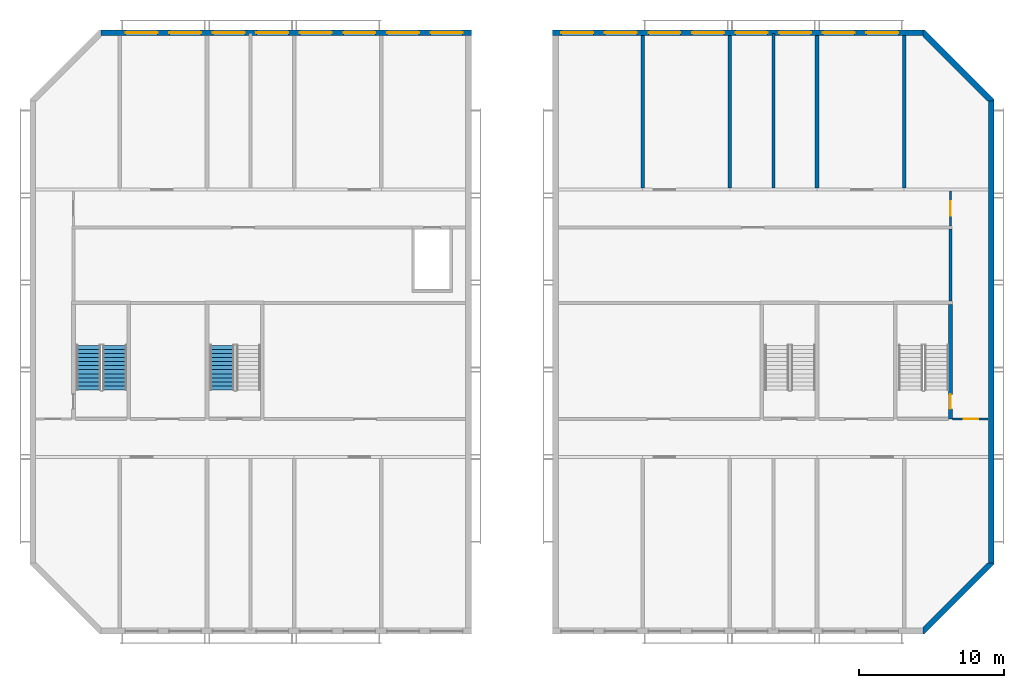
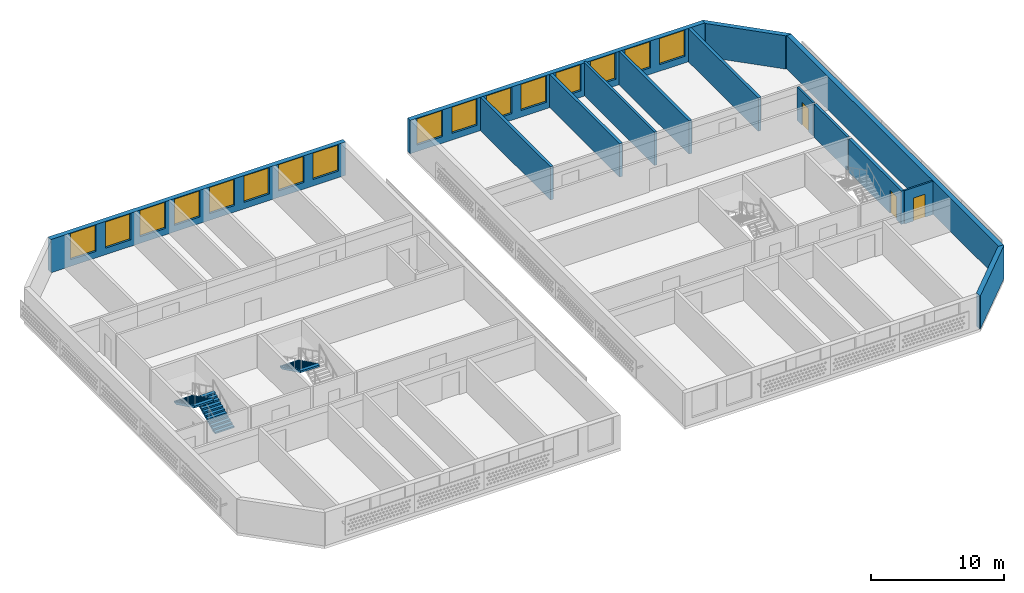
# One storey, part 4 of 18: 16 windows, 14 walls, 3 doors, 3 stair flights, 19 openings, 2 elements without a shape of their own.
"""IFC4 building model written with IfcOpenShell, lengths in metres."""

from ifc_helpers import new_model, si_unit, direction, frame, frame_2d, origin, place, context, subcontext, project, spatial, polyline, rectangle, outline, extrude, material, layer, layer_set, type_object, element, fill, aggregate, save


model = new_model("IFC4")

# Units and contexts
model_context = context("Model", 3, precision=1e-05, world=origin(), true_north=direction((0.0, 1.0)))
body_context = subcontext(model_context, "Body", "Model", "MODEL_VIEW")
ifc_project = project(units=[si_unit("LENGTHUNIT", "METRE"), si_unit("AREAUNIT", "SQUARE_METRE"), si_unit("VOLUMEUNIT", "CUBIC_METRE"), si_unit("PLANEANGLEUNIT", "RADIAN"), si_unit("MASSUNIT", "GRAM", prefix="KILO")], contexts=[model_context])

# Site, building, storey
site_placement = place(None, origin())
site = spatial("IfcSite", under=ifc_project, at=site_placement, CompositionType="ELEMENT")
building_placement = place(site_placement, origin())
building = spatial("IfcBuilding", under=site, at=building_placement, Name="Poui Terraces", CompositionType="ELEMENT")
storey_placement = place(building_placement, frame((0.0, 0.0, 279.0)))
storey = spatial("IfcBuildingStorey", under=building, at=storey_placement, Name="L77 CROWN", CompositionType="ELEMENT", Elevation=279.0)

# Wall, opening, door
ifc_material_1 = material(Name="Fire-rated plasterboard wall")
ifc_layer_1 = layer(ifc_material_1, 0.14990234375)
ifc_layer_set_1 = layer_set([ifc_layer_1], Name="Fire-rated plasterboard wall")
wall_type_1 = type_object("IfcWallType", Name="CORRIDOR WALL 150", PredefinedType="PARTITIONING", material=ifc_layer_set_1)
wall_1_placement = place(storey_placement, frame((81.3349609375, 14.60009765625, 0.0), z_axis=(0.0, 0.0, 1.0), x_axis=(1.0, 0.0, 0.0)))
wall_1 = element("IfcWall", 1, at=wall_1_placement, inside=storey, type_object=wall_type_1, Name="CORRIDOR WALL 150", PredefinedType="PARTITIONING", context=body_context, shape_type="SweptSolid", body=[
    extrude(rectangle(XDim=2.455078125, YDim=0.14990234375, at=frame_2d((1.2275390625, 0.0))), origin(), (0.0, 0.0, 1.0), 3.050048828125),
])
opening_1_placement = place(wall_1_placement, frame((0.764892578125, 0.0, 0.0)))
opening_1 = element("IfcOpeningElement", 2, at=opening_1_placement, cuts=wall_1, Name="Opening FDL", PredefinedType="OPENING", context=body_context, shape_type="SweptSolid", body=[
    extrude(rectangle(XDim=1.0, YDim=2.10009765625, at=frame_2d((0.5, 1.050048828125))), frame((0.0, 0.0849609375, 0.0), z_axis=(0.0, -1.0, 0.0), x_axis=(1.0, 0.0, 0.0)), (0.0, 0.0, 1.0), 0.169921875),
])
ifc_material_2 = material(Name="Steel fire door", Category="steel")
door_type_1 = type_object("IfcDoorType", Name="LOBBY FIRE DOOR 1000 X 2100", OperationType="NOTDEFINED", PredefinedType="DOOR", material=ifc_material_2)
door_1_placement = place(opening_1_placement, origin())
door_1 = element("IfcDoor", 3, at=door_1_placement, inside=storey, type_object=door_type_1, Name="LOBBY FIRE DOOR 010", OperationType="SINGLE_SWING_LEFT", OverallHeight=2.10009765625, OverallWidth=1.0, PredefinedType="DOOR", context=body_context, shape_type="SweptSolid", body=[
    extrude(rectangle(XDim=1.0, YDim=2.10009765625, at=frame_2d((0.5, 1.050048828125))), frame((0.0, 0.02490234375, 0.0), z_axis=(0.0, -1.0, 0.0), x_axis=(1.0, 0.0, 0.0)), (0.0, 0.0, 1.0), 0.050048828125),
])
fill(opening_1, door_1)

wall_2_placement = place(storey_placement, frame((81.199951171875, 27.89990234375, 0.0), z_axis=(0.0, 0.0, 1.0), x_axis=(0.0, 1.0, 0.0)))
wall_2 = element("IfcWall", 4, at=wall_2_placement, inside=storey, type_object=wall_type_1, Name="CORRIDOR WALL 150", PredefinedType="PARTITIONING", context=body_context, shape_type="SweptSolid", body=[
    extrude(rectangle(XDim=2.39013671875, YDim=0.14990234375, at=frame_2d((1.195068359375, 0.0))), origin(), (0.0, 0.0, 1.0), 3.050048828125),
])
opening_2_placement = place(wall_2_placement, frame((0.699951171875, 0.0, 0.0)))
opening_2 = element("IfcOpeningElement", 5, at=opening_2_placement, cuts=wall_2, Name="Opening FDL", PredefinedType="OPENING", context=body_context, shape_type="SweptSolid", body=[
    extrude(rectangle(XDim=1.0, YDim=2.10009765625, at=frame_2d((0.5, 1.050048828125))), frame((0.0, 0.0849609375, 0.0), z_axis=(0.0, -1.0, 0.0), x_axis=(1.0, 0.0, 0.0)), (0.0, 0.0, 1.0), 0.169921875),
])
door_2_placement = place(opening_2_placement, frame((1.0, 0.0, 0.0), z_axis=(0.0, 0.0, 1.0), x_axis=(-1.0, 0.0, 0.0)))
door_2 = element("IfcDoor", 6, at=door_2_placement, inside=storey, type_object=door_type_1, Name="LOBBY FIRE DOOR 009", OperationType="SINGLE_SWING_RIGHT", OverallHeight=2.10009765625, OverallWidth=1.0, PredefinedType="DOOR", context=body_context, shape_type="SweptSolid", body=[
    extrude(rectangle(XDim=1.0, YDim=2.10009765625, at=frame_2d((0.5, 1.050048828125))), frame((0.0, 0.02490234375, 0.0), z_axis=(0.0, -1.0, 0.0), x_axis=(1.0, 0.0, 0.0)), (0.0, 0.0, 1.0), 0.050048828125),
])
fill(opening_2, door_2)

# Walls
ifc_material_3 = material(Name="Concrete 50 MPa", Category="concrete")
ifc_layer_2 = layer(ifc_material_3, 0.25)
ifc_layer_set_2 = layer_set([ifc_layer_2], Name="Concrete 50 MPa")
wall_type_2 = type_object("IfcWallType", Name="CROSS WALL 250 50MPa", PredefinedType="SHEAR", material=ifc_layer_set_2)
for number, where, z_axis, x_axis, name in (
    (7, (60.0, 30.5, 0.0), (0.0, 0.0, 1.0), (0.0, 1.0, 0.0), "CROSS WALL LINE 11 NORTH"),
    (8, (66.0, 30.5, 0.0), (0.0, 0.0, 1.0), (0.0, 1.0, 0.0), "CROSS WALL LINE 12 NORTH"),
    (9, (72.0, 30.5, 0.0), (0.0, 0.0, 1.0), (0.0, 1.0, 0.0), "CROSS WALL LINE 13 NORTH"),
    (10, (78.0, 30.5, 0.0), (0.0, 0.0, 1.0), (0.0, 1.0, 0.0), "CROSS WALL LINE 14 NORTH"),
):
    element("IfcWall", number, at=place(storey_placement, frame(where, z_axis=z_axis, x_axis=x_axis)), inside=storey, type_object=wall_type_2, Name=name, PredefinedType="SHEAR", context=body_context, shape_type="SweptSolid", body=[
        extrude(rectangle(XDim=10.5, YDim=0.25, at=frame_2d((5.25, 0.0))), origin(), (0.0, 0.0, 1.0), 3.050048828125),
    ])
ifc_layer_3 = layer(ifc_material_3, 0.39990234375)
ifc_layer_set_3 = layer_set([ifc_layer_3], Name="Concrete 50 MPa")
wall_type_3 = type_object("IfcWallType", Name="END WALL 400 50MPa", PredefinedType="SHEAR", material=ifc_layer_set_3)
wall_3_placement = place(storey_placement, frame((84.0, 4.682861328125, 0.0), z_axis=(0.0, 0.0, 1.0), x_axis=(0.0, 1.0, 0.0)))
element("IfcWall", 11, at=wall_3_placement, inside=storey, type_object=wall_type_3, Name="END WALL LINE 15", PredefinedType="SHEAR", context=body_context, shape_type="SweptSolid", body=[
    extrude(rectangle(XDim=31.834228515625, YDim=0.39990234375, at=frame_2d((15.9169921875, 0.0))), origin(), (0.0, 0.0, 1.0), 3.050048828125),
])

# Wall, openings, windows
ifc_material_4 = material(Name="Precast concrete 40 MPa", Category="concrete")
ifc_layer_4 = layer(ifc_material_4, 0.39990234375)
ifc_layer_set_4 = layer_set([ifc_layer_4], Name="Precast concrete 40 MPa")
wall_type_4 = type_object("IfcWallType", Name="EXTERNAL WALL 400", PredefinedType="STANDARD", material=ifc_layer_set_4)
wall_4_placement = place(storey_placement, frame((48.199951171875, 41.199951171875, 0.0), z_axis=(0.0, 0.0, 1.0), x_axis=(-1.0, 0.0, 0.0)))
wall_4 = element("IfcWall", 12, at=wall_4_placement, inside=storey, type_object=wall_type_4, Name="EXTERNAL WALL N", PredefinedType="STANDARD", context=body_context, shape_type="SweptSolid", body=[
    extrude(rectangle(XDim=25.51708984375, YDim=0.39990234375, at=frame_2d((12.758544921875, 0.0))), origin(), (0.0, 0.0, 1.0), 3.050048828125),
])
opening_3_placement = place(wall_4_placement, frame((21.60009765625, 0.0, 0.60009765625)))
opening_3 = element("IfcOpeningElement", 13, at=opening_3_placement, cuts=wall_4, Name="Opening W5", PredefinedType="OPENING", context=body_context, shape_type="SweptSolid", body=[
    extrude(rectangle(XDim=2.199951171875, YDim=2.39990234375, at=frame_2d((1.10009765625, 1.199951171875))), frame((0.0, 0.2099609375, 0.0), z_axis=(0.0, -1.0, 0.0), x_axis=(1.0, 0.0, 0.0)), (0.0, 0.0, 1.0), 0.419921875),
])
opening_4_placement = place(wall_4_placement, frame((18.60009765625, 0.0, 0.60009765625)))
opening_4 = element("IfcOpeningElement", 14, at=opening_4_placement, cuts=wall_4, Name="Opening W5", PredefinedType="OPENING", context=body_context, shape_type="SweptSolid", body=[
    extrude(rectangle(XDim=2.199951171875, YDim=2.39990234375, at=frame_2d((1.10009765625, 1.199951171875))), frame((0.0, 0.2099609375, 0.0), z_axis=(0.0, -1.0, 0.0), x_axis=(1.0, 0.0, 0.0)), (0.0, 0.0, 1.0), 0.419921875),
])
opening_5_placement = place(wall_4_placement, frame((15.60009765625, 0.0, 0.60009765625)))
opening_5 = element("IfcOpeningElement", 15, at=opening_5_placement, cuts=wall_4, Name="Opening W5", PredefinedType="OPENING", context=body_context, shape_type="SweptSolid", body=[
    extrude(rectangle(XDim=2.199951171875, YDim=2.39990234375, at=frame_2d((1.10009765625, 1.199951171875))), frame((0.0, 0.2099609375, 0.0), z_axis=(0.0, -1.0, 0.0), x_axis=(1.0, 0.0, 0.0)), (0.0, 0.0, 1.0), 0.419921875),
])
opening_6_placement = place(wall_4_placement, frame((12.60009765625, 0.0, 0.60009765625)))
opening_6 = element("IfcOpeningElement", 16, at=opening_6_placement, cuts=wall_4, Name="Opening W5", PredefinedType="OPENING", context=body_context, shape_type="SweptSolid", body=[
    extrude(rectangle(XDim=2.199951171875, YDim=2.39990234375, at=frame_2d((1.10009765625, 1.199951171875))), frame((0.0, 0.2099609375, 0.0), z_axis=(0.0, -1.0, 0.0), x_axis=(1.0, 0.0, 0.0)), (0.0, 0.0, 1.0), 0.419921875),
])
opening_7_placement = place(wall_4_placement, frame((9.60009765625, 0.0, 0.60009765625)))
opening_7 = element("IfcOpeningElement", 17, at=opening_7_placement, cuts=wall_4, Name="Opening W5", PredefinedType="OPENING", context=body_context, shape_type="SweptSolid", body=[
    extrude(rectangle(XDim=2.199951171875, YDim=2.39990234375, at=frame_2d((1.10009765625, 1.199951171875))), frame((0.0, 0.2099609375, 0.0), z_axis=(0.0, -1.0, 0.0), x_axis=(1.0, 0.0, 0.0)), (0.0, 0.0, 1.0), 0.419921875),
])
opening_8_placement = place(wall_4_placement, frame((6.60009765625, 0.0, 0.60009765625)))
opening_8 = element("IfcOpeningElement", 18, at=opening_8_placement, cuts=wall_4, Name="Opening W5", PredefinedType="OPENING", context=body_context, shape_type="SweptSolid", body=[
    extrude(rectangle(XDim=2.199951171875, YDim=2.39990234375, at=frame_2d((1.10009765625, 1.199951171875))), frame((0.0, 0.2099609375, 0.0), z_axis=(0.0, -1.0, 0.0), x_axis=(1.0, 0.0, 0.0)), (0.0, 0.0, 1.0), 0.419921875),
])
opening_9_placement = place(wall_4_placement, frame((3.60009765625, 0.0, 0.60009765625)))
opening_9 = element("IfcOpeningElement", 19, at=opening_9_placement, cuts=wall_4, Name="Opening W5", PredefinedType="OPENING", context=body_context, shape_type="SweptSolid", body=[
    extrude(rectangle(XDim=2.199951171875, YDim=2.39990234375, at=frame_2d((1.10009765625, 1.199951171875))), frame((0.0, 0.2099609375, 0.0), z_axis=(0.0, -1.0, 0.0), x_axis=(1.0, 0.0, 0.0)), (0.0, 0.0, 1.0), 0.419921875),
])
opening_10_placement = place(wall_4_placement, frame((0.60009765625, 0.0, 0.60009765625)))
opening_10 = element("IfcOpeningElement", 20, at=opening_10_placement, cuts=wall_4, Name="Opening W5", PredefinedType="OPENING", context=body_context, shape_type="SweptSolid", body=[
    extrude(rectangle(XDim=2.199951171875, YDim=2.39990234375, at=frame_2d((1.10009765625, 1.199951171875))), frame((0.0, 0.2099609375, 0.0), z_axis=(0.0, -1.0, 0.0), x_axis=(1.0, 0.0, 0.0)), (0.0, 0.0, 1.0), 0.419921875),
])
ifc_material_5 = material(Name="Clear glass in aluminium frame", Category="aluminium")
window_type = type_object("IfcWindowType", Name="WINDOW 2200X2400", PartitioningType="TRIPLE_PANEL_HORIZONTAL", PredefinedType="WINDOW", material=ifc_material_5)
window_1_placement = place(opening_3_placement, origin())
window_1 = element("IfcWindow", 21, at=window_1_placement, inside=storey, type_object=window_type, Name="W5 WINDOW", OverallHeight=2.39990234375, OverallWidth=2.199951171875, PartitioningType="TRIPLE_PANEL_HORIZONTAL", PredefinedType="WINDOW", context=body_context, shape_type="SweptSolid", body=[
    extrude(rectangle(XDim=2.199951171875, YDim=2.39990234375, at=frame_2d((1.10009765625, 1.199951171875))), frame((0.0, 0.030029296875, 0.0), z_axis=(0.0, -1.0, 0.0), x_axis=(1.0, 0.0, 0.0)), (0.0, 0.0, 1.0), 0.06005859375),
])
fill(opening_3, window_1)
window_2_placement = place(opening_4_placement, origin())
window_2 = element("IfcWindow", 22, at=window_2_placement, inside=storey, type_object=window_type, Name="W5 WINDOW", OverallHeight=2.39990234375, OverallWidth=2.199951171875, PartitioningType="TRIPLE_PANEL_HORIZONTAL", PredefinedType="WINDOW", context=body_context, shape_type="SweptSolid", body=[
    extrude(rectangle(XDim=2.199951171875, YDim=2.39990234375, at=frame_2d((1.10009765625, 1.199951171875))), frame((0.0, 0.030029296875, 0.0), z_axis=(0.0, -1.0, 0.0), x_axis=(1.0, 0.0, 0.0)), (0.0, 0.0, 1.0), 0.06005859375),
])
fill(opening_4, window_2)
window_3_placement = place(opening_5_placement, origin())
window_3 = element("IfcWindow", 23, at=window_3_placement, inside=storey, type_object=window_type, Name="W5 WINDOW", OverallHeight=2.39990234375, OverallWidth=2.199951171875, PartitioningType="TRIPLE_PANEL_HORIZONTAL", PredefinedType="WINDOW", context=body_context, shape_type="SweptSolid", body=[
    extrude(rectangle(XDim=2.199951171875, YDim=2.39990234375, at=frame_2d((1.10009765625, 1.199951171875))), frame((0.0, 0.030029296875, 0.0), z_axis=(0.0, -1.0, 0.0), x_axis=(1.0, 0.0, 0.0)), (0.0, 0.0, 1.0), 0.06005859375),
])
fill(opening_5, window_3)
window_4_placement = place(opening_6_placement, origin())
window_4 = element("IfcWindow", 24, at=window_4_placement, inside=storey, type_object=window_type, Name="W5 WINDOW", OverallHeight=2.39990234375, OverallWidth=2.199951171875, PartitioningType="TRIPLE_PANEL_HORIZONTAL", PredefinedType="WINDOW", context=body_context, shape_type="SweptSolid", body=[
    extrude(rectangle(XDim=2.199951171875, YDim=2.39990234375, at=frame_2d((1.10009765625, 1.199951171875))), frame((0.0, 0.030029296875, 0.0), z_axis=(0.0, -1.0, 0.0), x_axis=(1.0, 0.0, 0.0)), (0.0, 0.0, 1.0), 0.06005859375),
])
fill(opening_6, window_4)
window_5_placement = place(opening_7_placement, origin())
window_5 = element("IfcWindow", 25, at=window_5_placement, inside=storey, type_object=window_type, Name="W5 WINDOW", OverallHeight=2.39990234375, OverallWidth=2.199951171875, PartitioningType="TRIPLE_PANEL_HORIZONTAL", PredefinedType="WINDOW", context=body_context, shape_type="SweptSolid", body=[
    extrude(rectangle(XDim=2.199951171875, YDim=2.39990234375, at=frame_2d((1.10009765625, 1.199951171875))), frame((0.0, 0.030029296875, 0.0), z_axis=(0.0, -1.0, 0.0), x_axis=(1.0, 0.0, 0.0)), (0.0, 0.0, 1.0), 0.06005859375),
])
fill(opening_7, window_5)
window_6_placement = place(opening_8_placement, origin())
window_6 = element("IfcWindow", 26, at=window_6_placement, inside=storey, type_object=window_type, Name="W5 WINDOW", OverallHeight=2.39990234375, OverallWidth=2.199951171875, PartitioningType="TRIPLE_PANEL_HORIZONTAL", PredefinedType="WINDOW", context=body_context, shape_type="SweptSolid", body=[
    extrude(rectangle(XDim=2.199951171875, YDim=2.39990234375, at=frame_2d((1.10009765625, 1.199951171875))), frame((0.0, 0.030029296875, 0.0), z_axis=(0.0, -1.0, 0.0), x_axis=(1.0, 0.0, 0.0)), (0.0, 0.0, 1.0), 0.06005859375),
])
fill(opening_8, window_6)
window_7_placement = place(opening_9_placement, origin())
window_7 = element("IfcWindow", 27, at=window_7_placement, inside=storey, type_object=window_type, Name="W5 WINDOW", OverallHeight=2.39990234375, OverallWidth=2.199951171875, PartitioningType="TRIPLE_PANEL_HORIZONTAL", PredefinedType="WINDOW", context=body_context, shape_type="SweptSolid", body=[
    extrude(rectangle(XDim=2.199951171875, YDim=2.39990234375, at=frame_2d((1.10009765625, 1.199951171875))), frame((0.0, 0.030029296875, 0.0), z_axis=(0.0, -1.0, 0.0), x_axis=(1.0, 0.0, 0.0)), (0.0, 0.0, 1.0), 0.06005859375),
])
fill(opening_9, window_7)
window_8_placement = place(opening_10_placement, origin())
window_8 = element("IfcWindow", 28, at=window_8_placement, inside=storey, type_object=window_type, Name="W5 WINDOW", OverallHeight=2.39990234375, OverallWidth=2.199951171875, PartitioningType="TRIPLE_PANEL_HORIZONTAL", PredefinedType="WINDOW", context=body_context, shape_type="SweptSolid", body=[
    extrude(rectangle(XDim=2.199951171875, YDim=2.39990234375, at=frame_2d((1.10009765625, 1.199951171875))), frame((0.0, 0.030029296875, 0.0), z_axis=(0.0, -1.0, 0.0), x_axis=(1.0, 0.0, 0.0)), (0.0, 0.0, 1.0), 0.06005859375),
])
fill(opening_10, window_8)

wall_5_placement = place(storey_placement, frame((79.317138671875, 41.199951171875, 0.0), z_axis=(0.0, 0.0, 1.0), x_axis=(-1.0, 0.0, 0.0)))
wall_5 = element("IfcWall", 29, at=wall_5_placement, inside=storey, type_object=wall_type_4, Name="EXTERNAL WALL N", PredefinedType="STANDARD", context=body_context, shape_type="SweptSolid", body=[
    extrude(rectangle(XDim=25.51708984375, YDim=0.39990234375, at=frame_2d((12.758544921875, 0.0))), origin(), (0.0, 0.0, 1.0), 3.050048828125),
])
opening_11_placement = place(wall_5_placement, frame((22.71728515625, 0.0, 0.60009765625)))
opening_11 = element("IfcOpeningElement", 30, at=opening_11_placement, cuts=wall_5, Name="Opening W5", PredefinedType="OPENING", context=body_context, shape_type="SweptSolid", body=[
    extrude(rectangle(XDim=2.199951171875, YDim=2.39990234375, at=frame_2d((1.10009765625, 1.199951171875))), frame((0.0, 0.2099609375, 0.0), z_axis=(0.0, -1.0, 0.0), x_axis=(1.0, 0.0, 0.0)), (0.0, 0.0, 1.0), 0.419921875),
])
opening_12_placement = place(wall_5_placement, frame((19.71728515625, 0.0, 0.60009765625)))
opening_12 = element("IfcOpeningElement", 31, at=opening_12_placement, cuts=wall_5, Name="Opening W5", PredefinedType="OPENING", context=body_context, shape_type="SweptSolid", body=[
    extrude(rectangle(XDim=2.199951171875, YDim=2.39990234375, at=frame_2d((1.10009765625, 1.199951171875))), frame((0.0, 0.2099609375, 0.0), z_axis=(0.0, -1.0, 0.0), x_axis=(1.0, 0.0, 0.0)), (0.0, 0.0, 1.0), 0.419921875),
])
opening_13_placement = place(wall_5_placement, frame((16.71728515625, 0.0, 0.60009765625)))
opening_13 = element("IfcOpeningElement", 32, at=opening_13_placement, cuts=wall_5, Name="Opening W5", PredefinedType="OPENING", context=body_context, shape_type="SweptSolid", body=[
    extrude(rectangle(XDim=2.199951171875, YDim=2.39990234375, at=frame_2d((1.10009765625, 1.199951171875))), frame((0.0, 0.2099609375, 0.0), z_axis=(0.0, -1.0, 0.0), x_axis=(1.0, 0.0, 0.0)), (0.0, 0.0, 1.0), 0.419921875),
])
opening_14_placement = place(wall_5_placement, frame((13.71728515625, 0.0, 0.60009765625)))
opening_14 = element("IfcOpeningElement", 33, at=opening_14_placement, cuts=wall_5, Name="Opening W5", PredefinedType="OPENING", context=body_context, shape_type="SweptSolid", body=[
    extrude(rectangle(XDim=2.199951171875, YDim=2.39990234375, at=frame_2d((1.10009765625, 1.199951171875))), frame((0.0, 0.2099609375, 0.0), z_axis=(0.0, -1.0, 0.0), x_axis=(1.0, 0.0, 0.0)), (0.0, 0.0, 1.0), 0.419921875),
])
opening_15_placement = place(wall_5_placement, frame((10.71728515625, 0.0, 0.60009765625)))
opening_15 = element("IfcOpeningElement", 34, at=opening_15_placement, cuts=wall_5, Name="Opening W5", PredefinedType="OPENING", context=body_context, shape_type="SweptSolid", body=[
    extrude(rectangle(XDim=2.199951171875, YDim=2.39990234375, at=frame_2d((1.10009765625, 1.199951171875))), frame((0.0, 0.2099609375, 0.0), z_axis=(0.0, -1.0, 0.0), x_axis=(1.0, 0.0, 0.0)), (0.0, 0.0, 1.0), 0.419921875),
])
opening_16_placement = place(wall_5_placement, frame((7.71728515625, 0.0, 0.60009765625)))
opening_16 = element("IfcOpeningElement", 35, at=opening_16_placement, cuts=wall_5, Name="Opening W5", PredefinedType="OPENING", context=body_context, shape_type="SweptSolid", body=[
    extrude(rectangle(XDim=2.199951171875, YDim=2.39990234375, at=frame_2d((1.10009765625, 1.199951171875))), frame((0.0, 0.2099609375, 0.0), z_axis=(0.0, -1.0, 0.0), x_axis=(1.0, 0.0, 0.0)), (0.0, 0.0, 1.0), 0.419921875),
])
opening_17_placement = place(wall_5_placement, frame((4.71728515625, 0.0, 0.60009765625)))
opening_17 = element("IfcOpeningElement", 36, at=opening_17_placement, cuts=wall_5, Name="Opening W5", PredefinedType="OPENING", context=body_context, shape_type="SweptSolid", body=[
    extrude(rectangle(XDim=2.199951171875, YDim=2.39990234375, at=frame_2d((1.10009765625, 1.199951171875))), frame((0.0, 0.2099609375, 0.0), z_axis=(0.0, -1.0, 0.0), x_axis=(1.0, 0.0, 0.0)), (0.0, 0.0, 1.0), 0.419921875),
])
opening_18_placement = place(wall_5_placement, frame((1.71728515625, 0.0, 0.60009765625)))
opening_18 = element("IfcOpeningElement", 37, at=opening_18_placement, cuts=wall_5, Name="Opening W5", PredefinedType="OPENING", context=body_context, shape_type="SweptSolid", body=[
    extrude(rectangle(XDim=2.199951171875, YDim=2.39990234375, at=frame_2d((1.10009765625, 1.199951171875))), frame((0.0, 0.2099609375, 0.0), z_axis=(0.0, -1.0, 0.0), x_axis=(1.0, 0.0, 0.0)), (0.0, 0.0, 1.0), 0.419921875),
])
window_9_placement = place(opening_11_placement, origin())
window_9 = element("IfcWindow", 38, at=window_9_placement, inside=storey, type_object=window_type, Name="W5 WINDOW", OverallHeight=2.39990234375, OverallWidth=2.199951171875, PartitioningType="TRIPLE_PANEL_HORIZONTAL", PredefinedType="WINDOW", context=body_context, shape_type="SweptSolid", body=[
    extrude(rectangle(XDim=2.199951171875, YDim=2.39990234375, at=frame_2d((1.10009765625, 1.199951171875))), frame((0.0, 0.030029296875, 0.0), z_axis=(0.0, -1.0, 0.0), x_axis=(1.0, 0.0, 0.0)), (0.0, 0.0, 1.0), 0.06005859375),
])
fill(opening_11, window_9)
window_10_placement = place(opening_12_placement, origin())
window_10 = element("IfcWindow", 39, at=window_10_placement, inside=storey, type_object=window_type, Name="W5 WINDOW", OverallHeight=2.39990234375, OverallWidth=2.199951171875, PartitioningType="TRIPLE_PANEL_HORIZONTAL", PredefinedType="WINDOW", context=body_context, shape_type="SweptSolid", body=[
    extrude(rectangle(XDim=2.199951171875, YDim=2.39990234375, at=frame_2d((1.10009765625, 1.199951171875))), frame((0.0, 0.030029296875, 0.0), z_axis=(0.0, -1.0, 0.0), x_axis=(1.0, 0.0, 0.0)), (0.0, 0.0, 1.0), 0.06005859375),
])
fill(opening_12, window_10)
window_11_placement = place(opening_13_placement, origin())
window_11 = element("IfcWindow", 40, at=window_11_placement, inside=storey, type_object=window_type, Name="W5 WINDOW", OverallHeight=2.39990234375, OverallWidth=2.199951171875, PartitioningType="TRIPLE_PANEL_HORIZONTAL", PredefinedType="WINDOW", context=body_context, shape_type="SweptSolid", body=[
    extrude(rectangle(XDim=2.199951171875, YDim=2.39990234375, at=frame_2d((1.10009765625, 1.199951171875))), frame((0.0, 0.030029296875, 0.0), z_axis=(0.0, -1.0, 0.0), x_axis=(1.0, 0.0, 0.0)), (0.0, 0.0, 1.0), 0.06005859375),
])
fill(opening_13, window_11)
window_12_placement = place(opening_14_placement, origin())
window_12 = element("IfcWindow", 41, at=window_12_placement, inside=storey, type_object=window_type, Name="W5 WINDOW", OverallHeight=2.39990234375, OverallWidth=2.199951171875, PartitioningType="TRIPLE_PANEL_HORIZONTAL", PredefinedType="WINDOW", context=body_context, shape_type="SweptSolid", body=[
    extrude(rectangle(XDim=2.199951171875, YDim=2.39990234375, at=frame_2d((1.10009765625, 1.199951171875))), frame((0.0, 0.030029296875, 0.0), z_axis=(0.0, -1.0, 0.0), x_axis=(1.0, 0.0, 0.0)), (0.0, 0.0, 1.0), 0.06005859375),
])
fill(opening_14, window_12)
window_13_placement = place(opening_15_placement, origin())
window_13 = element("IfcWindow", 42, at=window_13_placement, inside=storey, type_object=window_type, Name="W5 WINDOW", OverallHeight=2.39990234375, OverallWidth=2.199951171875, PartitioningType="TRIPLE_PANEL_HORIZONTAL", PredefinedType="WINDOW", context=body_context, shape_type="SweptSolid", body=[
    extrude(rectangle(XDim=2.199951171875, YDim=2.39990234375, at=frame_2d((1.10009765625, 1.199951171875))), frame((0.0, 0.030029296875, 0.0), z_axis=(0.0, -1.0, 0.0), x_axis=(1.0, 0.0, 0.0)), (0.0, 0.0, 1.0), 0.06005859375),
])
fill(opening_15, window_13)
window_14_placement = place(opening_16_placement, origin())
window_14 = element("IfcWindow", 43, at=window_14_placement, inside=storey, type_object=window_type, Name="W5 WINDOW", OverallHeight=2.39990234375, OverallWidth=2.199951171875, PartitioningType="TRIPLE_PANEL_HORIZONTAL", PredefinedType="WINDOW", context=body_context, shape_type="SweptSolid", body=[
    extrude(rectangle(XDim=2.199951171875, YDim=2.39990234375, at=frame_2d((1.10009765625, 1.199951171875))), frame((0.0, 0.030029296875, 0.0), z_axis=(0.0, -1.0, 0.0), x_axis=(1.0, 0.0, 0.0)), (0.0, 0.0, 1.0), 0.06005859375),
])
fill(opening_16, window_14)
window_15_placement = place(opening_17_placement, origin())
window_15 = element("IfcWindow", 44, at=window_15_placement, inside=storey, type_object=window_type, Name="W5 WINDOW", OverallHeight=2.39990234375, OverallWidth=2.199951171875, PartitioningType="TRIPLE_PANEL_HORIZONTAL", PredefinedType="WINDOW", context=body_context, shape_type="SweptSolid", body=[
    extrude(rectangle(XDim=2.199951171875, YDim=2.39990234375, at=frame_2d((1.10009765625, 1.199951171875))), frame((0.0, 0.030029296875, 0.0), z_axis=(0.0, -1.0, 0.0), x_axis=(1.0, 0.0, 0.0)), (0.0, 0.0, 1.0), 0.06005859375),
])
fill(opening_17, window_15)
window_16_placement = place(opening_18_placement, origin())
window_16 = element("IfcWindow", 45, at=window_16_placement, inside=storey, type_object=window_type, Name="W5 WINDOW", OverallHeight=2.39990234375, OverallWidth=2.199951171875, PartitioningType="TRIPLE_PANEL_HORIZONTAL", PredefinedType="WINDOW", context=body_context, shape_type="SweptSolid", body=[
    extrude(rectangle(XDim=2.199951171875, YDim=2.39990234375, at=frame_2d((1.10009765625, 1.199951171875))), frame((0.0, 0.030029296875, 0.0), z_axis=(0.0, -1.0, 0.0), x_axis=(1.0, 0.0, 0.0)), (0.0, 0.0, 1.0), 0.06005859375),
])
fill(opening_18, window_16)

# Walls
ifc_material_6 = material(Name="Fire-rated masonry wall", Category="masonry")
ifc_layer_5 = layer(ifc_material_6, 0.199951171875)
ifc_layer_set_5 = layer_set([ifc_layer_5], Name="Fire-rated masonry wall")
wall_type_5 = type_object("IfcWallType", Name="PLANT ROOM WALL 200", PredefinedType="PARTITIONING", material=ifc_layer_set_5)
wall_6_placement = place(storey_placement, frame((69.0, 30.510009765625, 0.0), z_axis=(0.0, 0.0, 1.0), x_axis=(0.0, 1.0, 0.0)))
element("IfcWall", 46, at=wall_6_placement, inside=storey, type_object=wall_type_5, Name="PLANT ROOM WALL 200", PredefinedType="PARTITIONING", context=body_context, shape_type="SweptSolid", body=[
    extrude(rectangle(XDim=10.6298828125, YDim=0.199951171875, at=frame_2d((5.31494140625, 0.0))), origin(), (0.0, 0.0, 1.0), 3.050048828125),
])
wall_7_placement = place(storey_placement, frame((81.199951171875, 22.735107421875, 0.0), z_axis=(0.0, 0.0, 1.0), x_axis=(0.0, 1.0, 0.0)))
element("IfcWall", 47, at=wall_7_placement, inside=storey, type_object=wall_type_5, Name="PLANT ROOM WALL 200", PredefinedType="PARTITIONING", context=body_context, shape_type="SweptSolid", body=[
    extrude(rectangle(XDim=4.96484375, YDim=0.199951171875, at=frame_2d((2.482421875, 0.0))), origin(), (0.0, 0.0, 1.0), 3.050048828125),
])

# Wall, opening, door
ifc_layer_6 = layer(ifc_material_3, 0.25)
ifc_layer_set_6 = layer_set([ifc_layer_6], Name="Concrete 50 MPa")
wall_type_6 = type_object("IfcWallType", Name="STAIR CORE WALL 250 50 MPA", PredefinedType="SOLIDWALL", material=ifc_layer_set_6)
wall_8_placement = place(storey_placement, frame((81.199951171875, 14.60009765625, 0.0), z_axis=(0.0, 0.0, 1.0), x_axis=(0.0, 1.0, 0.0)))
wall_8 = element("IfcWall", 48, at=wall_8_placement, inside=storey, type_object=wall_type_6, Name="STAIR CORE WALL", PredefinedType="SOLIDWALL", context=body_context, shape_type="SweptSolid", body=[
    extrude(rectangle(XDim=7.875, YDim=0.25, at=frame_2d((3.9375, 0.0))), origin(), (0.0, 0.0, 1.0), 3.050048828125),
])
opening_19_placement = place(wall_8_placement, frame((0.699951171875, 0.0, 0.0)))
opening_19 = element("IfcOpeningElement", 49, at=opening_19_placement, cuts=wall_8, Name="Opening FD60S", PredefinedType="OPENING", context=body_context, shape_type="SweptSolid", body=[
    extrude(rectangle(XDim=1.0, YDim=2.10009765625, at=frame_2d((0.5, 1.050048828125))), frame((0.0, 0.135009765625, 0.0), z_axis=(0.0, -1.0, 0.0), x_axis=(1.0, 0.0, 0.0)), (0.0, 0.0, 1.0), 0.27001953125),
])
door_type_2 = type_object("IfcDoorType", Name="STAIR DOOR 1000 X 2100", OperationType="NOTDEFINED", PredefinedType="DOOR", material=ifc_material_2)
door_3_placement = place(opening_19_placement, origin())
door_3 = element("IfcDoor", 50, at=door_3_placement, inside=storey, type_object=door_type_2, Name="STAIR DOOR 008", OperationType="SINGLE_SWING_LEFT", OverallHeight=2.10009765625, OverallWidth=1.0, PredefinedType="DOOR", context=body_context, shape_type="SweptSolid", body=[
    extrude(rectangle(XDim=1.0, YDim=2.10009765625, at=frame_2d((0.5, 1.050048828125))), frame((0.0, 0.02490234375, 0.0), z_axis=(0.0, -1.0, 0.0), x_axis=(1.0, 0.0, 0.0)), (0.0, 0.0, 1.0), 0.050048828125),
])
fill(opening_19, door_3)

# Walls
ifc_layer_7 = layer(ifc_material_4, 0.39990234375)
ifc_layer_set_7 = layer_set([ifc_layer_7], Name="Precast concrete 40 MPa")
wall_type_7 = type_object("IfcWallType", Name="TERRACOTTA CLAD CHAMFER WALL 400", PredefinedType="STANDARD", material=ifc_layer_set_7)
wall_9_placement = place(storey_placement, origin())
element("IfcWall", 51, at=wall_9_placement, inside=storey, type_object=wall_type_7, Name="CHAMFER WALL CH11", PredefinedType="STANDARD", context=body_context, shape_type="SweptSolid", body=[
    extrude(outline(polyline([(79.317138671875, -0.199951171875), (79.39990234375, -0.199951171875), (84.199951171875, 4.60009765625), (84.199951171875, 4.682861328125), (83.71728515625, 4.682861328125), (79.317138671875, 0.28271484375), (79.317138671875, -0.199951171875)])), origin(), (0.0, 0.0, 1.0), 3.050048828125),
])
wall_10_placement = place(storey_placement, origin())
element("IfcWall", 52, at=wall_10_placement, inside=storey, type_object=wall_type_7, Name="CHAMFER WALL CH13", PredefinedType="STANDARD", context=body_context, shape_type="SweptSolid", body=[
    extrude(outline(polyline([(84.199951171875, 36.51708984375), (84.199951171875, 36.60009765625), (79.39990234375, 41.39990234375), (79.317138671875, 41.39990234375), (79.317138671875, 40.917236328125), (83.71728515625, 36.51708984375), (84.199951171875, 36.51708984375)])), origin(), (0.0, 0.0, 1.0), 3.050048828125),
])

# Stair, stair flight
stair_type = type_object("IfcStairType", Name="EXIT STAIR 1650 50 MPA", PredefinedType="HALF_TURN_STAIR", material=ifc_material_3)
stair_1_placement = place(storey_placement, origin())
stair_1 = element("IfcStair", 53, at=stair_1_placement, inside=storey, type_object=stair_type, Name="L77 CROWN CORE STAIR WEST", PredefinedType="HALF_TURN_STAIR")
ifc_layer_8 = layer(ifc_material_3, 0.14990234375)
ifc_layer_set_8 = layer_set([ifc_layer_8], Name="Concrete 50 MPa")
stair_flight_type = type_object("IfcStairFlightType", Name="STAIR FLIGHT 12 RISERS 138 RISE 50 MPA", PredefinedType="STRAIGHT", material=ifc_layer_set_8)
stair_flight_1_placement = place(storey_placement, frame((31.050048828125, 19.679931640625, 1.64990234375), z_axis=(0.0, 0.0, 1.0), x_axis=(0.0, -1.0, 0.0)))
stair_flight_1 = element("IfcStairFlight", 54, at=stair_flight_1_placement, type_object=stair_flight_type, Name="ST-CW flight 2", NumberOfRisers=12, NumberOfTreads=11, PredefinedType="STRAIGHT", RiserHeight=0.1375, TreadLength=0.28, context=body_context, shape_type="SweptSolid", body=[
    extrude(outline(polyline([(0.0, 0.0), (0.0, 0.137451171875), (0.280029296875, 0.137451171875), (0.280029296875, 0.27490234375), (0.56005859375, 0.27490234375), (0.56005859375, 0.41259765625), (0.840087890625, 0.41259765625), (0.840087890625, 0.550048828125), (1.1201171875, 0.550048828125), (1.1201171875, 0.6875), (1.39990234375, 0.6875), (1.39990234375, 0.824951171875), (1.679931640625, 0.824951171875), (1.679931640625, 0.96240234375), (1.9599609375, 0.96240234375), (1.9599609375, 1.10009765625), (2.239990234375, 1.10009765625), (2.239990234375, 1.237548828125), (2.52001953125, 1.237548828125), (2.52001953125, 1.375), (2.800048828125, 1.375), (2.800048828125, 1.512451171875), (3.080078125, 1.512451171875), (3.080078125, 1.64990234375), (3.080078125, 1.345458984375), (0.340087890625, 0.0), (0.0, 0.0)])), frame((0.0, 0.824951171875, 0.0), z_axis=(0.0, -1.0, 0.0), x_axis=(1.0, 0.0, 0.0)), (0.0, 0.0, 1.0), 1.64990234375),
])
aggregate(stair_1, [stair_flight_1])

# Stair, stair flights
stair_2_placement = place(storey_placement, origin())
stair_2 = element("IfcStair", 55, at=stair_2_placement, inside=storey, type_object=stair_type, Name="L77 CROWN TIP STAIR WEST", PredefinedType="HALF_TURN_STAIR")
stair_flight_2_placement = place(storey_placement, frame((23.64990234375, 16.60009765625, 0.0), z_axis=(0.0, 0.0, 1.0), x_axis=(0.0, 1.0, 0.0)))
stair_flight_2 = element("IfcStairFlight", 56, at=stair_flight_2_placement, type_object=stair_flight_type, Name="ST-W flight 1", NumberOfRisers=12, NumberOfTreads=11, PredefinedType="STRAIGHT", RiserHeight=0.1375, TreadLength=0.28, context=body_context, shape_type="SweptSolid", body=[
    extrude(outline(polyline([(0.0, 0.0), (0.0, 0.137451171875), (0.280029296875, 0.137451171875), (0.280029296875, 0.27490234375), (0.56005859375, 0.27490234375), (0.56005859375, 0.41259765625), (0.840087890625, 0.41259765625), (0.840087890625, 0.550048828125), (1.1201171875, 0.550048828125), (1.1201171875, 0.6875), (1.39990234375, 0.6875), (1.39990234375, 0.824951171875), (1.679931640625, 0.824951171875), (1.679931640625, 0.96240234375), (1.9599609375, 0.96240234375), (1.9599609375, 1.10009765625), (2.239990234375, 1.10009765625), (2.239990234375, 1.237548828125), (2.52001953125, 1.237548828125), (2.52001953125, 1.375), (2.800048828125, 1.375), (2.800048828125, 1.512451171875), (3.080078125, 1.512451171875), (3.080078125, 1.64990234375), (3.080078125, 1.345458984375), (0.340087890625, 0.0), (0.0, 0.0)])), frame((0.0, 0.824951171875, 0.0), z_axis=(0.0, -1.0, 0.0), x_axis=(1.0, 0.0, 0.0)), (0.0, 0.0, 1.0), 1.64990234375),
])
stair_flight_3_placement = place(storey_placement, frame((21.85009765625, 19.679931640625, 1.64990234375), z_axis=(0.0, 0.0, 1.0), x_axis=(0.0, -1.0, 0.0)))
stair_flight_3 = element("IfcStairFlight", 57, at=stair_flight_3_placement, type_object=stair_flight_type, Name="ST-W flight 2", NumberOfRisers=12, NumberOfTreads=11, PredefinedType="STRAIGHT", RiserHeight=0.1375, TreadLength=0.28, context=body_context, shape_type="SweptSolid", body=[
    extrude(outline(polyline([(0.0, 0.0), (0.0, 0.137451171875), (0.280029296875, 0.137451171875), (0.280029296875, 0.27490234375), (0.56005859375, 0.27490234375), (0.56005859375, 0.41259765625), (0.840087890625, 0.41259765625), (0.840087890625, 0.550048828125), (1.1201171875, 0.550048828125), (1.1201171875, 0.6875), (1.39990234375, 0.6875), (1.39990234375, 0.824951171875), (1.679931640625, 0.824951171875), (1.679931640625, 0.96240234375), (1.9599609375, 0.96240234375), (1.9599609375, 1.10009765625), (2.239990234375, 1.10009765625), (2.239990234375, 1.237548828125), (2.52001953125, 1.237548828125), (2.52001953125, 1.375), (2.800048828125, 1.375), (2.800048828125, 1.512451171875), (3.080078125, 1.512451171875), (3.080078125, 1.64990234375), (3.080078125, 1.345458984375), (0.340087890625, 0.0), (0.0, 0.0)])), frame((0.0, 0.824951171875, 0.0), z_axis=(0.0, -1.0, 0.0), x_axis=(1.0, 0.0, 0.0)), (0.0, 0.0, 1.0), 1.64990234375),
])
aggregate(stair_2, [stair_flight_2, stair_flight_3])

save(model, "model.ifc")
